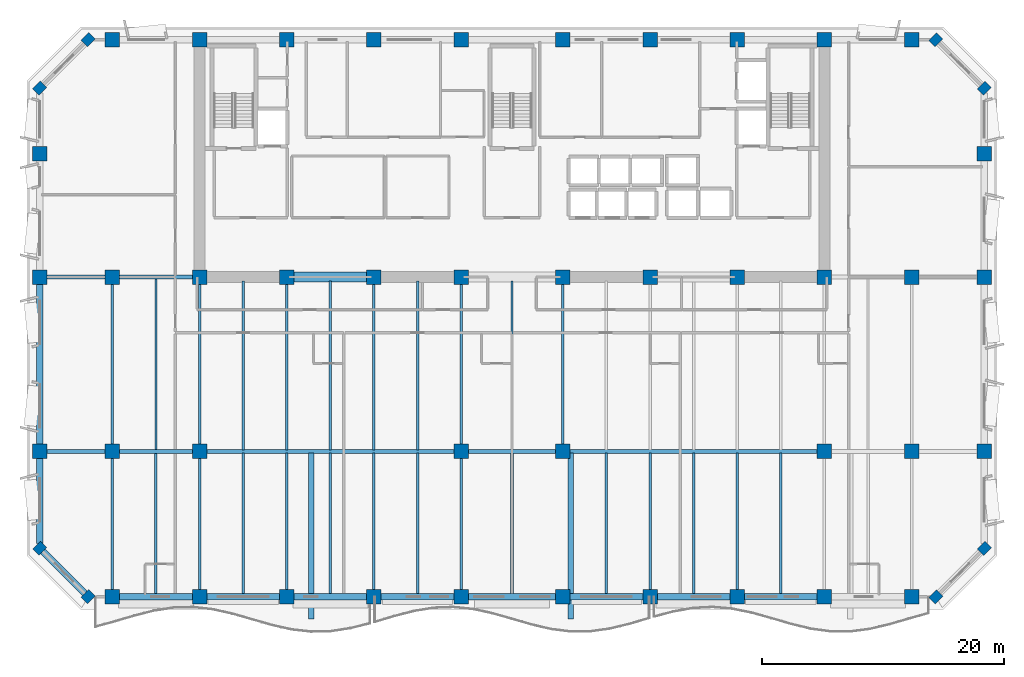
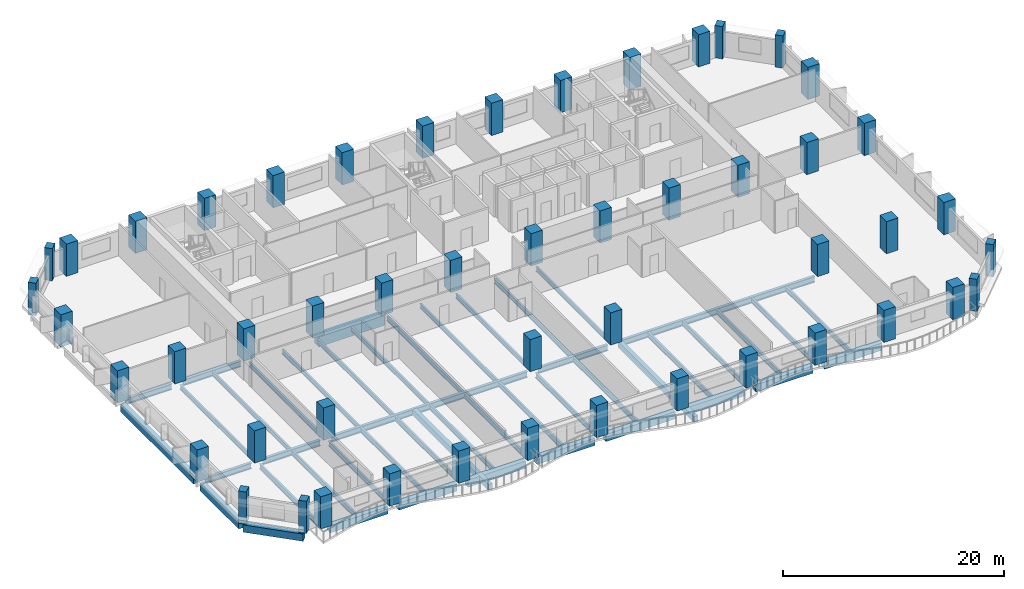
# One storey, part 1 of 14: 50 columns, 47 beams.
"""IFC4 building model written with IfcOpenShell, lengths in metres."""

from ifc_helpers import new_model, si_unit, direction, frame, origin, origin_2d, place, context, subcontext, project, spatial, rectangle, i_section, extrude, material, material_profile, profile_set, type_object, element, save


model = new_model("IFC4")

# Units and contexts
model_context = context("Model", 3, precision=1e-05, world=origin(), true_north=direction((0.0, 1.0)))
body_context = subcontext(model_context, "Body", "Model", "MODEL_VIEW")
ifc_project = project(units=[si_unit("LENGTHUNIT", "METRE"), si_unit("AREAUNIT", "SQUARE_METRE"), si_unit("VOLUMEUNIT", "CUBIC_METRE"), si_unit("PLANEANGLEUNIT", "RADIAN"), si_unit("MASSUNIT", "GRAM", prefix="KILO")], contexts=[model_context])

# Site, building, storey
site_placement = place(None, origin())
site = spatial("IfcSite", under=ifc_project, at=site_placement, CompositionType="ELEMENT")
building_placement = place(site_placement, origin())
building = spatial("IfcBuilding", under=site, at=building_placement, Name="Kaelvorn Grand Hotel", CompositionType="ELEMENT")
storey_placement = place(building_placement, frame((0.0, 0.0, 212.949951171875)))
storey = spatial("IfcBuildingStorey", under=building, at=storey_placement, Name="L52", CompositionType="ELEMENT", Elevation=212.949951171875)

# Columns
ifc_material_1 = material(Name="Concrete C60/75", Category="concrete")
ifc_material_profile_1 = material_profile(ifc_material_1, rectangle(XDim=0.89990234375, YDim=0.75, at=origin_2d()), Name="RC PILASTER 900x750")
ifc_profile_set_1 = profile_set([ifc_material_profile_1], Name="Concrete C60/75")
column_type_1 = type_object("IfcColumnType", Name="COL-PIL-900x750-C60", PredefinedType="PILASTER", material=ifc_profile_set_1)
for number, where, z_axis, x_axis, name in (
    (1, (7.0, 3.0, 0.0), (0.0, 0.0, 1.0), (0.707106781187, 0.707106781187, 0.0), "L52 Structural Column CH-01"),
    (2, (77.0, 3.0, 0.0), (0.0, 0.0, 1.0), (0.707106781187, 0.707106781187, 0.0), "L52 Structural Column CH-02"),
    (3, (81.0, 7.0, 0.0), (0.0, 0.0, 1.0), (0.707106781187, 0.707106781187, 0.0), "L52 Structural Column CH-03"),
    (4, (81.0, 45.0, 0.0), (0.0, 0.0, 1.0), (0.707106781187, 0.707106781187, 0.0), "L52 Structural Column CH-04"),
    (5, (77.0, 49.0, 0.0), (0.0, 0.0, 1.0), (0.707106781187, 0.707106781187, 0.0), "L52 Structural Column CH-05"),
    (6, (7.0, 49.0, 0.0), (0.0, 0.0, 1.0), (0.707106781187, 0.707106781187, 0.0), "L52 Structural Column CH-06"),
    (7, (3.0, 45.0, 0.0), (0.0, 0.0, 1.0), (0.707106781187, 0.707106781187, 0.0), "L52 Structural Column CH-07"),
    (8, (3.0, 7.0, 0.0), (0.0, 0.0, 1.0), (0.707106781187, 0.707106781187, 0.0), "L52 Structural Column CH-08"),
):
    element("IfcColumn", number, at=place(storey_placement, frame(where, z_axis=z_axis, x_axis=x_axis)), inside=storey, type_object=column_type_1, Name=name, PredefinedType="PILASTER", context=body_context, shape_type="SweptSolid", body=[
        extrude(rectangle(XDim=0.89990234375, YDim=0.75, at=origin_2d()), origin(), (0.0, 0.0, 1.0), 3.56005859375),
    ])
ifc_material_profile_2 = material_profile(ifc_material_1, rectangle(XDim=1.199951171875, YDim=1.199951171875, at=origin_2d()), Name="RC COL 1200x1200")
ifc_profile_set_2 = profile_set([ifc_material_profile_2], Name="Concrete C60/75")
column_type_2 = type_object("IfcColumnType", Name="COL-RC-1200-C60", PredefinedType="COLUMN", material=ifc_profile_set_2)
for number, where, z_axis, x_axis, name in (
    (9, (9.0, 3.0, 0.0), (0.0, 0.0, 1.0), (1.0, 0.0, 0.0), "L52 Structural Column S-01"),
    (10, (16.199951171875, 3.0, 0.0), (0.0, 0.0, 1.0), (1.0, 0.0, 0.0), "L52 Structural Column S-02"),
    (11, (23.39990234375, 3.0, 0.0), (0.0, 0.0, 1.0), (1.0, 0.0, 0.0), "L52 Structural Column S-03"),
    (12, (30.60009765625, 3.0, 0.0), (0.0, 0.0, 1.0), (1.0, 0.0, 0.0), "L52 Structural Column S-04"),
    (13, (37.800048828125, 3.0, 0.0), (0.0, 0.0, 1.0), (1.0, 0.0, 0.0), "L52 Structural Column S-05"),
    (14, (46.199951171875, 3.0, 0.0), (0.0, 0.0, 1.0), (1.0, 0.0, 0.0), "L52 Structural Column S-06"),
    (15, (53.39990234375, 3.0, 0.0), (0.0, 0.0, 1.0), (1.0, 0.0, 0.0), "L52 Structural Column S-07"),
    (16, (60.60009765625, 3.0, 0.0), (0.0, 0.0, 1.0), (1.0, 0.0, 0.0), "L52 Structural Column S-08"),
    (17, (67.800048828125, 3.0, 0.0), (0.0, 0.0, 1.0), (1.0, 0.0, 0.0), "L52 Structural Column S-09"),
    (18, (75.0, 3.0, 0.0), (0.0, 0.0, 1.0), (1.0, 0.0, 0.0), "L52 Structural Column S-10"),
    (19, (3.0, 15.0, 0.0), (0.0, 0.0, 1.0), (1.0, 0.0, 0.0), "L52 Structural Column W-01"),
    (20, (81.0, 15.0, 0.0), (0.0, 0.0, 1.0), (1.0, 0.0, 0.0), "L52 Structural Column E-01"),
    (21, (3.0, 29.39990234375, 0.0), (0.0, 0.0, 1.0), (1.0, 0.0, 0.0), "L52 Structural Column W-02"),
    (22, (81.0, 29.39990234375, 0.0), (0.0, 0.0, 1.0), (1.0, 0.0, 0.0), "L52 Structural Column E-02"),
    (23, (3.0, 39.60009765625, 0.0), (0.0, 0.0, 1.0), (1.0, 0.0, 0.0), "L52 Structural Column W-03"),
    (24, (81.0, 39.60009765625, 0.0), (0.0, 0.0, 1.0), (1.0, 0.0, 0.0), "L52 Structural Column E-03"),
    (25, (9.0, 15.0, 0.0), (0.0, 0.0, 1.0), (1.0, 0.0, 0.0), "L52 Structural Column M-01"),
    (26, (16.199951171875, 15.0, 0.0), (0.0, 0.0, 1.0), (1.0, 0.0, 0.0), "L52 Structural Column M-02"),
    (27, (37.800048828125, 15.0, 0.0), (0.0, 0.0, 1.0), (1.0, 0.0, 0.0), "L52 Structural Column M-03"),
    (28, (46.199951171875, 15.0, 0.0), (0.0, 0.0, 1.0), (1.0, 0.0, 0.0), "L52 Structural Column M-04"),
    (29, (67.800048828125, 15.0, 0.0), (0.0, 0.0, 1.0), (1.0, 0.0, 0.0), "L52 Structural Column M-05"),
    (30, (75.0, 15.0, 0.0), (0.0, 0.0, 1.0), (1.0, 0.0, 0.0), "L52 Structural Column M-06"),
    (31, (9.0, 29.39990234375, 0.0), (0.0, 0.0, 1.0), (1.0, 0.0, 0.0), "L52 Structural Column CR1-01"),
    (32, (9.0, 49.0, 0.0), (0.0, 0.0, 1.0), (1.0, 0.0, 0.0), "L52 Structural Column CR2-01"),
    (33, (16.199951171875, 29.39990234375, 0.0), (0.0, 0.0, 1.0), (1.0, 0.0, 0.0), "L52 Structural Column CR1-02"),
    (34, (16.199951171875, 49.0, 0.0), (0.0, 0.0, 1.0), (1.0, 0.0, 0.0), "L52 Structural Column CR2-02"),
    (35, (23.39990234375, 29.39990234375, 0.0), (0.0, 0.0, 1.0), (1.0, 0.0, 0.0), "L52 Structural Column CR1-03"),
    (36, (23.39990234375, 49.0, 0.0), (0.0, 0.0, 1.0), (1.0, 0.0, 0.0), "L52 Structural Column CR2-03"),
    (37, (30.60009765625, 29.39990234375, 0.0), (0.0, 0.0, 1.0), (1.0, 0.0, 0.0), "L52 Structural Column CR1-04"),
    (38, (30.60009765625, 49.0, 0.0), (0.0, 0.0, 1.0), (1.0, 0.0, 0.0), "L52 Structural Column CR2-04"),
    (39, (37.800048828125, 29.39990234375, 0.0), (0.0, 0.0, 1.0), (1.0, 0.0, 0.0), "L52 Structural Column CR1-05"),
    (40, (37.800048828125, 49.0, 0.0), (0.0, 0.0, 1.0), (1.0, 0.0, 0.0), "L52 Structural Column CR2-05"),
    (41, (46.199951171875, 29.39990234375, 0.0), (0.0, 0.0, 1.0), (1.0, 0.0, 0.0), "L52 Structural Column CR1-06"),
    (42, (46.199951171875, 49.0, 0.0), (0.0, 0.0, 1.0), (1.0, 0.0, 0.0), "L52 Structural Column CR2-06"),
    (43, (53.39990234375, 29.39990234375, 0.0), (0.0, 0.0, 1.0), (1.0, 0.0, 0.0), "L52 Structural Column CR1-07"),
    (44, (53.39990234375, 49.0, 0.0), (0.0, 0.0, 1.0), (1.0, 0.0, 0.0), "L52 Structural Column CR2-07"),
    (45, (60.60009765625, 29.39990234375, 0.0), (0.0, 0.0, 1.0), (1.0, 0.0, 0.0), "L52 Structural Column CR1-08"),
    (46, (60.60009765625, 49.0, 0.0), (0.0, 0.0, 1.0), (1.0, 0.0, 0.0), "L52 Structural Column CR2-08"),
    (47, (67.800048828125, 29.39990234375, 0.0), (0.0, 0.0, 1.0), (1.0, 0.0, 0.0), "L52 Structural Column CR1-09"),
    (48, (67.800048828125, 49.0, 0.0), (0.0, 0.0, 1.0), (1.0, 0.0, 0.0), "L52 Structural Column CR2-09"),
    (49, (75.0, 29.39990234375, 0.0), (0.0, 0.0, 1.0), (1.0, 0.0, 0.0), "L52 Structural Column CR1-10"),
    (50, (75.0, 49.0, 0.0), (0.0, 0.0, 1.0), (1.0, 0.0, 0.0), "L52 Structural Column CR2-10"),
):
    element("IfcColumn", number, at=place(storey_placement, frame(where, z_axis=z_axis, x_axis=x_axis)), inside=storey, type_object=column_type_2, Name=name, PredefinedType="COLUMN", context=body_context, shape_type="SweptSolid", body=[
        extrude(rectangle(XDim=1.199951171875, YDim=1.199951171875, at=origin_2d()), origin(), (0.0, 0.0, 1.0), 3.56005859375),
    ])

# Beams
ifc_material_2 = material(Name="Steel S355", Category="steel")
ifc_material_profile_3 = material_profile(ifc_material_2, i_section(OverallWidth=0.300048828125, OverallDepth=0.64990234375, WebThickness=0.01611328125, FlangeThickness=0.031005859375, FilletRadius=0.027099609375, at=origin_2d()), Name="HEB 650")
ifc_profile_set_3 = profile_set([ifc_material_profile_3], Name="Steel S355")
beam_type_1 = type_object("IfcBeamType", Name="BM-G-HEB650-S355", PredefinedType="BEAM", material=ifc_profile_set_3)
beam_1_placement = place(storey_placement, frame((3.5849609375, 15.0, -0.56494140625), z_axis=(1.0, 0.0, 0.0), x_axis=(0.0, 1.0, 0.0)))
element("IfcBeam", 51, at=beam_1_placement, inside=storey, type_object=beam_type_1, Name="L52 Primary Spine Steel Girder G-15 01", PredefinedType="BEAM", context=body_context, shape_type="SweptSolid", body=[
    extrude(i_section(OverallWidth=0.300048828125, OverallDepth=0.64990234375, WebThickness=0.01611328125, FlangeThickness=0.031005859375, FilletRadius=0.027099609375, at=origin_2d()), origin(), (0.0, 0.0, 1.0), 4.830078125),
])
beam_2_placement = place(storey_placement, frame((9.5849609375, 15.0, -0.56494140625), z_axis=(1.0, 0.0, 0.0), x_axis=(0.0, 1.0, 0.0)))
element("IfcBeam", 52, at=beam_2_placement, inside=storey, type_object=beam_type_1, Name="L52 Primary Spine Steel Girder G-15 02", PredefinedType="BEAM", context=body_context, shape_type="SweptSolid", body=[
    extrude(i_section(OverallWidth=0.300048828125, OverallDepth=0.64990234375, WebThickness=0.01611328125, FlangeThickness=0.031005859375, FilletRadius=0.027099609375, at=origin_2d()), origin(), (0.0, 0.0, 1.0), 6.030029296875),
])
beam_3_placement = place(storey_placement, frame((16.784912109375, 15.0, -0.56494140625), z_axis=(1.0, 0.0, 0.0), x_axis=(0.0, 1.0, 0.0)))
element("IfcBeam", 53, at=beam_3_placement, inside=storey, type_object=beam_type_1, Name="L52 Primary Spine Steel Girder G-15 03", PredefinedType="BEAM", context=body_context, shape_type="SweptSolid", body=[
    extrude(i_section(OverallWidth=0.300048828125, OverallDepth=0.64990234375, WebThickness=0.01611328125, FlangeThickness=0.031005859375, FilletRadius=0.027099609375, at=origin_2d()), origin(), (0.0, 0.0, 1.0), 20.43017578125),
])
beam_4_placement = place(storey_placement, frame((38.385009765625, 15.0, -0.56494140625), z_axis=(1.0, 0.0, 0.0), x_axis=(0.0, 1.0, 0.0)))
element("IfcBeam", 54, at=beam_4_placement, inside=storey, type_object=beam_type_1, Name="L52 Primary Spine Steel Girder G-15 04", PredefinedType="BEAM", context=body_context, shape_type="SweptSolid", body=[
    extrude(i_section(OverallWidth=0.300048828125, OverallDepth=0.64990234375, WebThickness=0.01611328125, FlangeThickness=0.031005859375, FilletRadius=0.027099609375, at=origin_2d()), origin(), (0.0, 0.0, 1.0), 7.22998046875),
])
beam_5_placement = place(storey_placement, frame((46.784912109375, 15.0, -0.56494140625), z_axis=(1.0, 0.0, 0.0), x_axis=(0.0, 1.0, 0.0)))
element("IfcBeam", 55, at=beam_5_placement, inside=storey, type_object=beam_type_1, Name="L52 Primary Spine Steel Girder G-15 05", PredefinedType="BEAM", context=body_context, shape_type="SweptSolid", body=[
    extrude(i_section(OverallWidth=0.300048828125, OverallDepth=0.64990234375, WebThickness=0.01611328125, FlangeThickness=0.031005859375, FilletRadius=0.027099609375, at=origin_2d()), origin(), (0.0, 0.0, 1.0), 20.43017578125),
])
beam_6_placement = place(storey_placement, frame((3.5849609375, 29.39990234375, -0.56494140625), z_axis=(1.0, 0.0, 0.0), x_axis=(0.0, 1.0, 0.0)))
element("IfcBeam", 56, at=beam_6_placement, inside=storey, type_object=beam_type_1, Name="L52 West Core Wing Steel Girder G-29W 01", PredefinedType="BEAM", context=body_context, shape_type="SweptSolid", body=[
    extrude(i_section(OverallWidth=0.300048828125, OverallDepth=0.64990234375, WebThickness=0.01611328125, FlangeThickness=0.031005859375, FilletRadius=0.027099609375, at=origin_2d()), origin(), (0.0, 0.0, 1.0), 4.830078125),
])
beam_7_placement = place(storey_placement, frame((9.5849609375, 29.39990234375, -0.56494140625), z_axis=(1.0, 0.0, 0.0), x_axis=(0.0, 1.0, 0.0)))
element("IfcBeam", 57, at=beam_7_placement, inside=storey, type_object=beam_type_1, Name="L52 West Core Wing Steel Girder G-29W 02", PredefinedType="BEAM", context=body_context, shape_type="SweptSolid", body=[
    extrude(i_section(OverallWidth=0.300048828125, OverallDepth=0.64990234375, WebThickness=0.01611328125, FlangeThickness=0.031005859375, FilletRadius=0.027099609375, at=origin_2d()), origin(), (0.0, 0.0, 1.0), 6.030029296875),
])
ifc_material_profile_4 = material_profile(ifc_material_2, i_section(OverallWidth=0.199951171875, OverallDepth=0.5, WebThickness=0.01025390625, FlangeThickness=0.01611328125, FilletRadius=0.02099609375, at=origin_2d()), Name="IPE 500")
ifc_profile_set_4 = profile_set([ifc_material_profile_4], Name="Steel S355")
beam_type_2 = type_object("IfcBeamType", Name="BM-J-IPE500-S355", PredefinedType="JOIST", material=ifc_profile_set_4)
beam_8_placement = place(storey_placement, frame((9.0, 15.5849609375, -0.489990234375), z_axis=(0.0, 1.0, 0.0), x_axis=(-1.0, 0.0, 0.0)))
element("IfcBeam", 58, at=beam_8_placement, inside=storey, type_object=beam_type_2, Name="L52 Composite Floor Joist JM-03", PredefinedType="JOIST", context=body_context, shape_type="SweptSolid", body=[
    extrude(i_section(OverallWidth=0.199951171875, OverallDepth=0.5, WebThickness=0.01025390625, FlangeThickness=0.01611328125, FilletRadius=0.02099609375, at=origin_2d()), origin(), (0.0, 0.0, 1.0), 13.22998046875),
])
beam_9_placement = place(storey_placement, frame((12.60009765625, 15.135009765625, -0.489990234375), z_axis=(0.0, 1.0, 0.0), x_axis=(-1.0, 0.0, 0.0)))
element("IfcBeam", 59, at=beam_9_placement, inside=storey, type_object=beam_type_2, Name="L52 Composite Floor Joist JM-04", PredefinedType="JOIST", context=body_context, shape_type="SweptSolid", body=[
    extrude(i_section(OverallWidth=0.199951171875, OverallDepth=0.5, WebThickness=0.01025390625, FlangeThickness=0.01611328125, FilletRadius=0.02099609375, at=origin_2d()), origin(), (0.0, 0.0, 1.0), 14.1298828125),
])
beam_10_placement = place(storey_placement, frame((16.199951171875, 15.5849609375, -0.489990234375), z_axis=(0.0, 1.0, 0.0), x_axis=(-1.0, 0.0, 0.0)))
element("IfcBeam", 60, at=beam_10_placement, inside=storey, type_object=beam_type_2, Name="L52 Composite Floor Joist JM-05", PredefinedType="JOIST", context=body_context, shape_type="SweptSolid", body=[
    extrude(i_section(OverallWidth=0.199951171875, OverallDepth=0.5, WebThickness=0.01025390625, FlangeThickness=0.01611328125, FilletRadius=0.02099609375, at=origin_2d()), origin(), (0.0, 0.0, 1.0), 13.22998046875),
])
beam_11_placement = place(storey_placement, frame((19.800048828125, 15.135009765625, -0.489990234375), z_axis=(0.0, 1.0, 0.0), x_axis=(-1.0, 0.0, 0.0)))
element("IfcBeam", 61, at=beam_11_placement, inside=storey, type_object=beam_type_2, Name="L52 Composite Floor Joist JM-06", PredefinedType="JOIST", context=body_context, shape_type="SweptSolid", body=[
    extrude(i_section(OverallWidth=0.199951171875, OverallDepth=0.5, WebThickness=0.01025390625, FlangeThickness=0.01611328125, FilletRadius=0.02099609375, at=origin_2d()), origin(), (0.0, 0.0, 1.0), 13.925048828125),
])
beam_12_placement = place(storey_placement, frame((23.39990234375, 15.135009765625, -0.489990234375), z_axis=(0.0, 1.0, 0.0), x_axis=(-1.0, 0.0, 0.0)))
element("IfcBeam", 62, at=beam_12_placement, inside=storey, type_object=beam_type_2, Name="L52 Composite Floor Joist JM-07", PredefinedType="JOIST", context=body_context, shape_type="SweptSolid", body=[
    extrude(i_section(OverallWidth=0.199951171875, OverallDepth=0.5, WebThickness=0.01025390625, FlangeThickness=0.01611328125, FilletRadius=0.02099609375, at=origin_2d()), origin(), (0.0, 0.0, 1.0), 13.679931640625),
])
beam_13_placement = place(storey_placement, frame((27.0, 15.135009765625, -0.489990234375), z_axis=(0.0, 1.0, 0.0), x_axis=(-1.0, 0.0, 0.0)))
element("IfcBeam", 63, at=beam_13_placement, inside=storey, type_object=beam_type_2, Name="L52 Composite Floor Joist JM-08", PredefinedType="JOIST", context=body_context, shape_type="SweptSolid", body=[
    extrude(i_section(OverallWidth=0.199951171875, OverallDepth=0.5, WebThickness=0.01025390625, FlangeThickness=0.01611328125, FilletRadius=0.02099609375, at=origin_2d()), origin(), (0.0, 0.0, 1.0), 13.925048828125),
])
beam_14_placement = place(storey_placement, frame((30.60009765625, 15.135009765625, -0.489990234375), z_axis=(0.0, 1.0, 0.0), x_axis=(-1.0, 0.0, 0.0)))
element("IfcBeam", 64, at=beam_14_placement, inside=storey, type_object=beam_type_2, Name="L52 Composite Floor Joist JM-09", PredefinedType="JOIST", context=body_context, shape_type="SweptSolid", body=[
    extrude(i_section(OverallWidth=0.199951171875, OverallDepth=0.5, WebThickness=0.01025390625, FlangeThickness=0.01611328125, FilletRadius=0.02099609375, at=origin_2d()), origin(), (0.0, 0.0, 1.0), 13.679931640625),
])
beam_15_placement = place(storey_placement, frame((34.199951171875, 15.135009765625, -0.489990234375), z_axis=(0.0, 1.0, 0.0), x_axis=(-1.0, 0.0, 0.0)))
element("IfcBeam", 65, at=beam_15_placement, inside=storey, type_object=beam_type_2, Name="L52 Composite Floor Joist JM-10", PredefinedType="JOIST", context=body_context, shape_type="SweptSolid", body=[
    extrude(i_section(OverallWidth=0.199951171875, OverallDepth=0.5, WebThickness=0.01025390625, FlangeThickness=0.01611328125, FilletRadius=0.02099609375, at=origin_2d()), origin(), (0.0, 0.0, 1.0), 13.925048828125),
])
beam_16_placement = place(storey_placement, frame((37.800048828125, 15.5849609375, -0.489990234375), z_axis=(0.0, 1.0, 0.0), x_axis=(-1.0, 0.0, 0.0)))
element("IfcBeam", 66, at=beam_16_placement, inside=storey, type_object=beam_type_2, Name="L52 Composite Floor Joist JM-11", PredefinedType="JOIST", context=body_context, shape_type="SweptSolid", body=[
    extrude(i_section(OverallWidth=0.199951171875, OverallDepth=0.5, WebThickness=0.01025390625, FlangeThickness=0.01611328125, FilletRadius=0.02099609375, at=origin_2d()), origin(), (0.0, 0.0, 1.0), 13.22998046875),
])
beam_17_placement = place(storey_placement, frame((42.0, 15.135009765625, -0.489990234375), z_axis=(0.0, 1.0, 0.0), x_axis=(-1.0, 0.0, 0.0)))
element("IfcBeam", 67, at=beam_17_placement, inside=storey, type_object=beam_type_2, Name="L52 Composite Floor Joist JM-12", PredefinedType="JOIST", context=body_context, shape_type="SweptSolid", body=[
    extrude(i_section(OverallWidth=0.199951171875, OverallDepth=0.5, WebThickness=0.01025390625, FlangeThickness=0.01611328125, FilletRadius=0.02099609375, at=origin_2d()), origin(), (0.0, 0.0, 1.0), 13.925048828125),
])
beam_18_placement = place(storey_placement, frame((46.199951171875, 15.5849609375, -0.489990234375), z_axis=(0.0, 1.0, 0.0), x_axis=(-1.0, 0.0, 0.0)))
element("IfcBeam", 68, at=beam_18_placement, inside=storey, type_object=beam_type_2, Name="L52 Composite Floor Joist JM-13", PredefinedType="JOIST", context=body_context, shape_type="SweptSolid", body=[
    extrude(i_section(OverallWidth=0.199951171875, OverallDepth=0.5, WebThickness=0.01025390625, FlangeThickness=0.01611328125, FilletRadius=0.02099609375, at=origin_2d()), origin(), (0.0, 0.0, 1.0), 13.22998046875),
])
ifc_material_profile_5 = material_profile(ifc_material_2, i_section(OverallWidth=0.2099609375, OverallDepth=0.550048828125, WebThickness=0.010986328125, FlangeThickness=0.01708984375, FilletRadius=0.02392578125, at=origin_2d()), Name="IPE 550")
ifc_profile_set_5 = profile_set([ifc_material_profile_5], Name="Steel S355")
beam_type_3 = type_object("IfcBeamType", Name="BM-J-IPE550-S355", PredefinedType="JOIST", material=ifc_profile_set_5)
beam_19_placement = place(storey_placement, frame((9.0, 3.5849609375, -0.514892578125), z_axis=(0.0, 1.0, 0.0), x_axis=(-1.0, 0.0, 0.0)))
element("IfcBeam", 69, at=beam_19_placement, inside=storey, type_object=beam_type_3, Name="L52 Composite Floor Joist JS-03", PredefinedType="JOIST", context=body_context, shape_type="SweptSolid", body=[
    extrude(i_section(OverallWidth=0.2099609375, OverallDepth=0.550048828125, WebThickness=0.010986328125, FlangeThickness=0.01708984375, FilletRadius=0.02392578125, at=origin_2d()), origin(), (0.0, 0.0, 1.0), 10.830078125),
])
beam_20_placement = place(storey_placement, frame((12.60009765625, 3.260009765625, -0.514892578125), z_axis=(0.0, 1.0, 0.0), x_axis=(-1.0, 0.0, 0.0)))
element("IfcBeam", 70, at=beam_20_placement, inside=storey, type_object=beam_type_3, Name="L52 Composite Floor Joist JS-04", PredefinedType="JOIST", context=body_context, shape_type="SweptSolid", body=[
    extrude(i_section(OverallWidth=0.2099609375, OverallDepth=0.550048828125, WebThickness=0.010986328125, FlangeThickness=0.01708984375, FilletRadius=0.02392578125, at=origin_2d()), origin(), (0.0, 0.0, 1.0), 11.60498046875),
])
beam_21_placement = place(storey_placement, frame((16.199951171875, 3.5849609375, -0.514892578125), z_axis=(0.0, 1.0, 0.0), x_axis=(-1.0, 0.0, 0.0)))
element("IfcBeam", 71, at=beam_21_placement, inside=storey, type_object=beam_type_3, Name="L52 Composite Floor Joist JS-05", PredefinedType="JOIST", context=body_context, shape_type="SweptSolid", body=[
    extrude(i_section(OverallWidth=0.2099609375, OverallDepth=0.550048828125, WebThickness=0.010986328125, FlangeThickness=0.01708984375, FilletRadius=0.02392578125, at=origin_2d()), origin(), (0.0, 0.0, 1.0), 10.830078125),
])
beam_22_placement = place(storey_placement, frame((19.800048828125, 3.260009765625, -0.514892578125), z_axis=(0.0, 1.0, 0.0), x_axis=(-1.0, 0.0, 0.0)))
element("IfcBeam", 72, at=beam_22_placement, inside=storey, type_object=beam_type_3, Name="L52 Composite Floor Joist JS-06", PredefinedType="JOIST", context=body_context, shape_type="SweptSolid", body=[
    extrude(i_section(OverallWidth=0.2099609375, OverallDepth=0.550048828125, WebThickness=0.010986328125, FlangeThickness=0.01708984375, FilletRadius=0.02392578125, at=origin_2d()), origin(), (0.0, 0.0, 1.0), 11.60498046875),
])
beam_23_placement = place(storey_placement, frame((23.39990234375, 3.5849609375, -0.514892578125), z_axis=(0.0, 1.0, 0.0), x_axis=(-1.0, 0.0, 0.0)))
element("IfcBeam", 73, at=beam_23_placement, inside=storey, type_object=beam_type_3, Name="L52 Composite Floor Joist JS-07", PredefinedType="JOIST", context=body_context, shape_type="SweptSolid", body=[
    extrude(i_section(OverallWidth=0.2099609375, OverallDepth=0.550048828125, WebThickness=0.010986328125, FlangeThickness=0.01708984375, FilletRadius=0.02392578125, at=origin_2d()), origin(), (0.0, 0.0, 1.0), 11.280029296875),
])
beam_24_placement = place(storey_placement, frame((27.0, 3.260009765625, -0.514892578125), z_axis=(0.0, 1.0, 0.0), x_axis=(-1.0, 0.0, 0.0)))
element("IfcBeam", 74, at=beam_24_placement, inside=storey, type_object=beam_type_3, Name="L52 Composite Floor Joist JS-08", PredefinedType="JOIST", context=body_context, shape_type="SweptSolid", body=[
    extrude(i_section(OverallWidth=0.2099609375, OverallDepth=0.550048828125, WebThickness=0.010986328125, FlangeThickness=0.01708984375, FilletRadius=0.02392578125, at=origin_2d()), origin(), (0.0, 0.0, 1.0), 11.60498046875),
])
beam_25_placement = place(storey_placement, frame((30.60009765625, 3.5849609375, -0.514892578125), z_axis=(0.0, 1.0, 0.0), x_axis=(-1.0, 0.0, 0.0)))
element("IfcBeam", 75, at=beam_25_placement, inside=storey, type_object=beam_type_3, Name="L52 Composite Floor Joist JS-09", PredefinedType="JOIST", context=body_context, shape_type="SweptSolid", body=[
    extrude(i_section(OverallWidth=0.2099609375, OverallDepth=0.550048828125, WebThickness=0.010986328125, FlangeThickness=0.01708984375, FilletRadius=0.02392578125, at=origin_2d()), origin(), (0.0, 0.0, 1.0), 11.280029296875),
])
beam_26_placement = place(storey_placement, frame((34.199951171875, 3.260009765625, -0.514892578125), z_axis=(0.0, 1.0, 0.0), x_axis=(-1.0, 0.0, 0.0)))
element("IfcBeam", 76, at=beam_26_placement, inside=storey, type_object=beam_type_3, Name="L52 Composite Floor Joist JS-10", PredefinedType="JOIST", context=body_context, shape_type="SweptSolid", body=[
    extrude(i_section(OverallWidth=0.2099609375, OverallDepth=0.550048828125, WebThickness=0.010986328125, FlangeThickness=0.01708984375, FilletRadius=0.02392578125, at=origin_2d()), origin(), (0.0, 0.0, 1.0), 11.60498046875),
])
beam_27_placement = place(storey_placement, frame((37.800048828125, 3.5849609375, -0.514892578125), z_axis=(0.0, 1.0, 0.0), x_axis=(-1.0, 0.0, 0.0)))
element("IfcBeam", 77, at=beam_27_placement, inside=storey, type_object=beam_type_3, Name="L52 Composite Floor Joist JS-11", PredefinedType="JOIST", context=body_context, shape_type="SweptSolid", body=[
    extrude(i_section(OverallWidth=0.2099609375, OverallDepth=0.550048828125, WebThickness=0.010986328125, FlangeThickness=0.01708984375, FilletRadius=0.02392578125, at=origin_2d()), origin(), (0.0, 0.0, 1.0), 10.830078125),
])
for number, where, z_axis, x_axis, name in (
    (78, (42.0, 3.260009765625, -0.514892578125), (0.0, 1.0, 0.0), (-1.0, 0.0, 0.0), "L52 Composite Floor Joist JS-12"),
    (79, (49.800048828125, 3.260009765625, -0.514892578125), (0.0, 1.0, 0.0), (-1.0, 0.0, 0.0), "L52 Composite Floor Joist JS-14"),
):
    element("IfcBeam", number, at=place(storey_placement, frame(where, z_axis=z_axis, x_axis=x_axis)), inside=storey, type_object=beam_type_3, Name=name, PredefinedType="JOIST", context=body_context, shape_type="SweptSolid", body=[
        extrude(i_section(OverallWidth=0.2099609375, OverallDepth=0.550048828125, WebThickness=0.010986328125, FlangeThickness=0.01708984375, FilletRadius=0.02392578125, at=origin_2d()), origin(), (0.0, 0.0, 1.0), 11.60498046875),
    ])
beam_28_placement = place(storey_placement, frame((53.39990234375, 3.5849609375, -0.514892578125), z_axis=(0.0, 1.0, 0.0), x_axis=(-1.0, 0.0, 0.0)))
element("IfcBeam", 80, at=beam_28_placement, inside=storey, type_object=beam_type_3, Name="L52 Composite Floor Joist JS-15", PredefinedType="JOIST", context=body_context, shape_type="SweptSolid", body=[
    extrude(i_section(OverallWidth=0.2099609375, OverallDepth=0.550048828125, WebThickness=0.010986328125, FlangeThickness=0.01708984375, FilletRadius=0.02392578125, at=origin_2d()), origin(), (0.0, 0.0, 1.0), 11.280029296875),
])
beam_29_placement = place(storey_placement, frame((57.0, 3.260009765625, -0.514892578125), z_axis=(0.0, 1.0, 0.0), x_axis=(-1.0, 0.0, 0.0)))
element("IfcBeam", 81, at=beam_29_placement, inside=storey, type_object=beam_type_3, Name="L52 Composite Floor Joist JS-16", PredefinedType="JOIST", context=body_context, shape_type="SweptSolid", body=[
    extrude(i_section(OverallWidth=0.2099609375, OverallDepth=0.550048828125, WebThickness=0.010986328125, FlangeThickness=0.01708984375, FilletRadius=0.02392578125, at=origin_2d()), origin(), (0.0, 0.0, 1.0), 11.60498046875),
])
beam_30_placement = place(storey_placement, frame((60.60009765625, 3.5849609375, -0.514892578125), z_axis=(0.0, 1.0, 0.0), x_axis=(-1.0, 0.0, 0.0)))
element("IfcBeam", 82, at=beam_30_placement, inside=storey, type_object=beam_type_3, Name="L52 Composite Floor Joist JS-17", PredefinedType="JOIST", context=body_context, shape_type="SweptSolid", body=[
    extrude(i_section(OverallWidth=0.2099609375, OverallDepth=0.550048828125, WebThickness=0.010986328125, FlangeThickness=0.01708984375, FilletRadius=0.02392578125, at=origin_2d()), origin(), (0.0, 0.0, 1.0), 11.280029296875),
])
beam_31_placement = place(storey_placement, frame((64.199951171875, 3.260009765625, -0.514892578125), z_axis=(0.0, 1.0, 0.0), x_axis=(-1.0, 0.0, 0.0)))
element("IfcBeam", 83, at=beam_31_placement, inside=storey, type_object=beam_type_3, Name="L52 Composite Floor Joist JS-18", PredefinedType="JOIST", context=body_context, shape_type="SweptSolid", body=[
    extrude(i_section(OverallWidth=0.2099609375, OverallDepth=0.550048828125, WebThickness=0.010986328125, FlangeThickness=0.01708984375, FilletRadius=0.02392578125, at=origin_2d()), origin(), (0.0, 0.0, 1.0), 11.60498046875),
])
ifc_material_profile_6 = material_profile(ifc_material_1, rectangle(XDim=0.800048828125, YDim=1.10009765625, at=origin_2d()), Name="RC LINTEL 800x1100")
ifc_profile_set_6 = profile_set([ifc_material_profile_6], Name="Concrete C60/75")
beam_type_4 = type_object("IfcBeamType", Name="BM-LIN-800x1100-C60", PredefinedType="LINTEL", material=ifc_profile_set_6)
beam_32_placement = place(storey_placement, frame((23.580078125, 29.39990234375, -0.7900390625), z_axis=(1.0, 0.0, 0.0), x_axis=(0.0, 1.0, 0.0)))
element("IfcBeam", 84, at=beam_32_placement, inside=storey, type_object=beam_type_4, Name="L52 Rear-Core Coupling Lintel Beam CB1-01", PredefinedType="LINTEL", context=body_context, shape_type="SweptSolid", body=[
    extrude(rectangle(XDim=0.800048828125, YDim=1.10009765625, at=origin_2d()), origin(), (0.0, 0.0, 1.0), 6.83984375),
])
ifc_material_3 = material(Name="Concrete C40/50", Category="concrete")
ifc_material_profile_7 = material_profile(ifc_material_3, rectangle(XDim=0.449951171875, YDim=0.64990234375, at=origin_2d()), Name="RC RIB 450x650")
ifc_profile_set_7 = profile_set([ifc_material_profile_7], Name="Concrete C40/50")
beam_type_5 = type_object("IfcBeamType", Name="BM-RIB-450x650-C40", PredefinedType="SPANDREL", material=ifc_profile_set_7)
for number, where, z_axis, x_axis, name in (
    (85, (25.409423828125, 1.14990234375, -0.544921875), (0.0, 1.0, 0.0), (-1.0, 0.0, 0.0), "L52 Cantilevered Balcony Back-Span Rib RB1-1"),
    (86, (46.857177734375, 1.14990234375, -0.544921875), (0.0, 1.0, 0.0), (-1.0, 0.0, 0.0), "L52 Cantilevered Balcony Back-Span Rib RB1-2"),
):
    element("IfcBeam", number, at=place(storey_placement, frame(where, z_axis=z_axis, x_axis=x_axis)), inside=storey, type_object=beam_type_5, Name=name, PredefinedType="SPANDREL", context=body_context, shape_type="SweptSolid", body=[
        extrude(rectangle(XDim=0.449951171875, YDim=0.64990234375, at=origin_2d()), origin(), (0.0, 0.0, 1.0), 13.715087890625),
    ])
ifc_material_4 = material(Name="Concrete C50/60", Category="concrete")
ifc_material_profile_8 = material_profile(ifc_material_4, rectangle(XDim=0.550048828125, YDim=0.800048828125, at=origin_2d()), Name="RC SPANDREL 550x800")
ifc_profile_set_8 = profile_set([ifc_material_profile_8], Name="Concrete C50/60")
beam_type_6 = type_object("IfcBeamType", Name="BM-SP-550x800-C50", PredefinedType="SPANDREL", material=ifc_profile_set_8)
for number, where, z_axis, x_axis, name in (
    (87, (9.5849609375, 3.0, -0.639892578125), (1.0, 0.0, 0.0), (0.0, 1.0, 0.0), "L52 South Perimeter Spandrel 02"),
    (88, (16.784912109375, 3.0, -0.639892578125), (1.0, 0.0, 0.0), (0.0, 1.0, 0.0), "L52 South Perimeter Spandrel 03"),
):
    element("IfcBeam", number, at=place(storey_placement, frame(where, z_axis=z_axis, x_axis=x_axis)), inside=storey, type_object=beam_type_6, Name=name, PredefinedType="SPANDREL", context=body_context, shape_type="SweptSolid", body=[
        extrude(rectangle(XDim=0.550048828125, YDim=0.800048828125, at=origin_2d()), origin(), (0.0, 0.0, 1.0), 6.030029296875),
    ])
beam_33_placement = place(storey_placement, frame((23.985107421875, 3.0, -0.639892578125), z_axis=(1.0, 0.0, 0.0), x_axis=(0.0, 1.0, 0.0)))
element("IfcBeam", 89, at=beam_33_placement, inside=storey, type_object=beam_type_6, Name="L52 South Perimeter Spandrel 04", PredefinedType="SPANDREL", context=body_context, shape_type="SweptSolid", body=[
    extrude(rectangle(XDim=0.550048828125, YDim=0.800048828125, at=origin_2d()), origin(), (0.0, 0.0, 1.0), 6.02978515625),
])
beam_34_placement = place(storey_placement, frame((31.18505859375, 3.0, -0.639892578125), z_axis=(1.0, 0.0, 0.0), x_axis=(0.0, 1.0, 0.0)))
element("IfcBeam", 90, at=beam_34_placement, inside=storey, type_object=beam_type_6, Name="L52 South Perimeter Spandrel 05", PredefinedType="SPANDREL", context=body_context, shape_type="SweptSolid", body=[
    extrude(rectangle(XDim=0.550048828125, YDim=0.800048828125, at=origin_2d()), origin(), (0.0, 0.0, 1.0), 6.030029296875),
])
beam_35_placement = place(storey_placement, frame((38.385009765625, 3.0, -0.639892578125), z_axis=(1.0, 0.0, 0.0), x_axis=(0.0, 1.0, 0.0)))
element("IfcBeam", 91, at=beam_35_placement, inside=storey, type_object=beam_type_6, Name="L52 South Perimeter Spandrel 06", PredefinedType="SPANDREL", context=body_context, shape_type="SweptSolid", body=[
    extrude(rectangle(XDim=0.550048828125, YDim=0.800048828125, at=origin_2d()), origin(), (0.0, 0.0, 1.0), 7.22998046875),
])
beam_36_placement = place(storey_placement, frame((46.784912109375, 3.0, -0.639892578125), z_axis=(1.0, 0.0, 0.0), x_axis=(0.0, 1.0, 0.0)))
element("IfcBeam", 92, at=beam_36_placement, inside=storey, type_object=beam_type_6, Name="L52 South Perimeter Spandrel 07", PredefinedType="SPANDREL", context=body_context, shape_type="SweptSolid", body=[
    extrude(rectangle(XDim=0.550048828125, YDim=0.800048828125, at=origin_2d()), origin(), (0.0, 0.0, 1.0), 6.030029296875),
])
beam_37_placement = place(storey_placement, frame((53.985107421875, 3.0, -0.639892578125), z_axis=(1.0, 0.0, 0.0), x_axis=(0.0, 1.0, 0.0)))
element("IfcBeam", 93, at=beam_37_placement, inside=storey, type_object=beam_type_6, Name="L52 South Perimeter Spandrel 08", PredefinedType="SPANDREL", context=body_context, shape_type="SweptSolid", body=[
    extrude(rectangle(XDim=0.550048828125, YDim=0.800048828125, at=origin_2d()), origin(), (0.0, 0.0, 1.0), 6.02978515625),
])
beam_38_placement = place(storey_placement, frame((61.18505859375, 3.0, -0.639892578125), z_axis=(1.0, 0.0, 0.0), x_axis=(0.0, 1.0, 0.0)))
element("IfcBeam", 94, at=beam_38_placement, inside=storey, type_object=beam_type_6, Name="L52 South Perimeter Spandrel 09", PredefinedType="SPANDREL", context=body_context, shape_type="SweptSolid", body=[
    extrude(rectangle(XDim=0.550048828125, YDim=0.800048828125, at=origin_2d()), origin(), (0.0, 0.0, 1.0), 6.030029296875),
])
beam_39_placement = place(storey_placement, frame((3.0, 7.405029296875, -0.639892578125), z_axis=(0.0, 1.0, 0.0), x_axis=(-1.0, 0.0, 0.0)))
element("IfcBeam", 95, at=beam_39_placement, inside=storey, type_object=beam_type_6, Name="L52 West Perimeter Spandrel 01", PredefinedType="SPANDREL", context=body_context, shape_type="SweptSolid", body=[
    extrude(rectangle(XDim=0.550048828125, YDim=0.800048828125, at=origin_2d()), origin(), (0.0, 0.0, 1.0), 7.010009765625),
])
beam_40_placement = place(storey_placement, frame((3.0, 15.5849609375, -0.639892578125), z_axis=(0.0, 1.0, 0.0), x_axis=(-1.0, 0.0, 0.0)))
element("IfcBeam", 96, at=beam_40_placement, inside=storey, type_object=beam_type_6, Name="L52 West Perimeter Spandrel 02", PredefinedType="SPANDREL", context=body_context, shape_type="SweptSolid", body=[
    extrude(rectangle(XDim=0.550048828125, YDim=0.800048828125, at=origin_2d()), origin(), (0.0, 0.0, 1.0), 13.22998046875),
])
beam_41_placement = place(storey_placement, frame((3.0, 7.0, -0.639892578125), z_axis=(0.707106781187, -0.707106781187, 0.0), x_axis=(0.707106781187, 0.707106781187, 0.0)))
element("IfcBeam", 97, at=beam_41_placement, inside=storey, type_object=beam_type_6, Name="L52 Chamfer Spandrel Beam 4", PredefinedType="SPANDREL", context=body_context, shape_type="SweptSolid", body=[
    extrude(rectangle(XDim=0.550048828125, YDim=0.800048828125, at=origin_2d()), origin(), (0.0, 0.0, 1.0), 5.65673828125),
])

save(model, "model.ifc")
